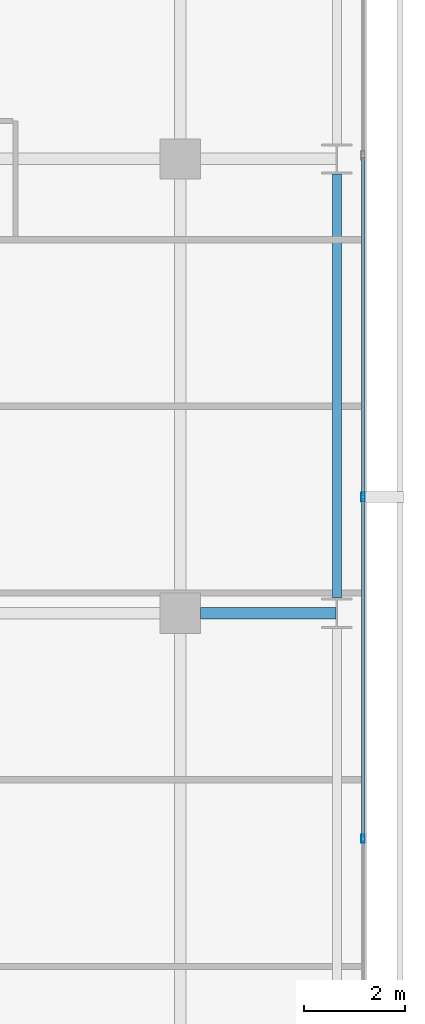
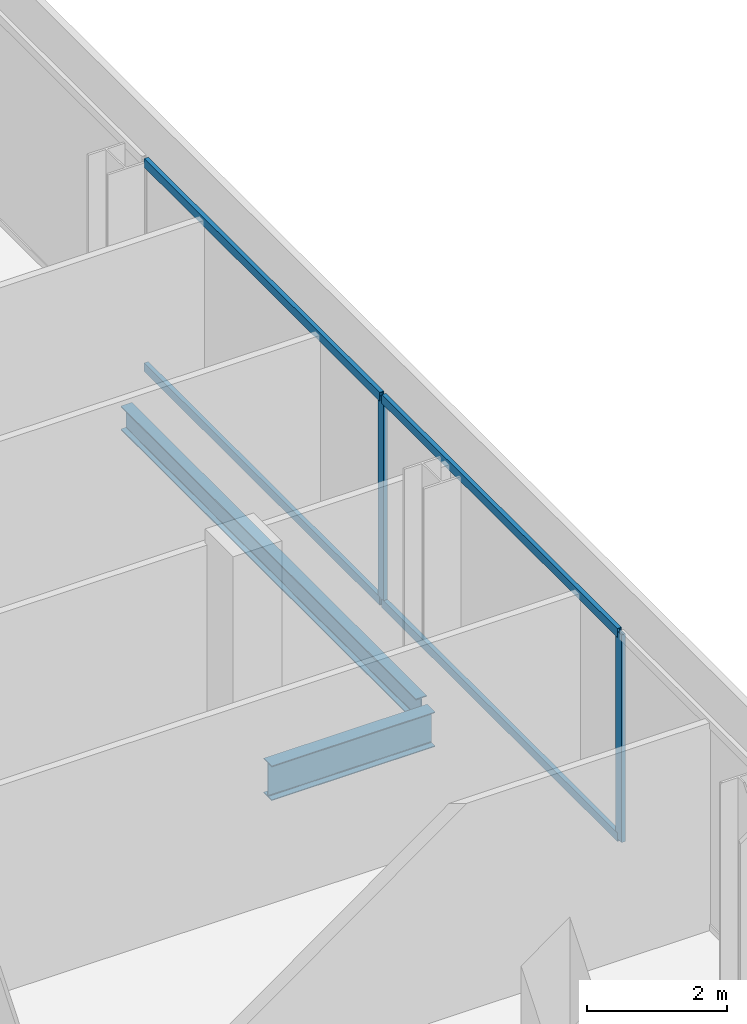
# One storey, part 17 of 34: 6 members, 2 beams, 1 element without a shape of its own.
"""IFC4 building model written with IfcOpenShell, lengths in metres."""

from ifc_helpers import new_model, si_unit, direction, frame, origin, origin_2d, place, context, subcontext, project, spatial, hollow_rectangle, i_section, extrude, material, layer, layer_set, material_profile, profile_set, type_object, element, aggregate, save


model = new_model("IFC4")

# Units and contexts
model_context = context("Model", 3, precision=1e-05, world=origin(), true_north=direction((0.0, 1.0)))
body_context = subcontext(model_context, "Body", "Model", "MODEL_VIEW")
ifc_project = project(units=[si_unit("LENGTHUNIT", "METRE"), si_unit("AREAUNIT", "SQUARE_METRE"), si_unit("VOLUMEUNIT", "CUBIC_METRE"), si_unit("PLANEANGLEUNIT", "RADIAN"), si_unit("MASSUNIT", "GRAM", prefix="KILO")], contexts=[model_context])

# Site, building, storey
site_placement = place(None, origin())
site = spatial("IfcSite", under=ifc_project, at=site_placement, CompositionType="ELEMENT")
building_placement = place(site_placement, origin())
building = spatial("IfcBuilding", under=site, at=building_placement, Name="Maruvema Waterfront Hotel and Observation Tower", CompositionType="ELEMENT")
storey_placement = place(building_placement, frame((0.0, 0.0, 192.85009765625)))
storey = spatial("IfcBuildingStorey", under=building, at=storey_placement, Name="L47", CompositionType="ELEMENT", Elevation=192.85009765625)

# Curtain wall, members
ifc_material_1 = material(Name="Anodised bronze aluminium and solar-control low-E IGU", Category="aluminium")
ifc_layer = layer(ifc_material_1, 0.159912109375, Name="Zone 2 Amber Inner Thermal Curtain Wall System CW-03")
ifc_layer_set = layer_set([ifc_layer], Name="Anodised bronze aluminium and solar-control low-E IGU")
curtain_wall_type = type_object("IfcCurtainWallType", Name="Zone 2 Amber Inner Thermal Curtain Wall System CW-03", PredefinedType="USERDEFINED", material=ifc_layer_set)
curtain_wall_placement = place(storey_placement, origin())
curtain_wall = element("IfcCurtainWall", 1, at=curtain_wall_placement, inside=storey, type_object=curtain_wall_type, Name="L47 Curtain Wall CW-L47-E", ObjectType="UNITISED CURTAIN WALL", PredefinedType="USERDEFINED")
ifc_material_2 = material(Name="Anodised architectural bronze aluminium", Category="aluminium")
ifc_material_profile_1 = material_profile(ifc_material_2, hollow_rectangle(XDim=0.070068359375, YDim=0.14990234375, WallThickness=0.00390625, at=origin_2d()), Name="ALU-T70x150")
ifc_profile_set_1 = profile_set([ifc_material_profile_1], Name="Anodised architectural bronze aluminium")
member_type_1 = type_object("IfcMemberType", Name="Curtain Wall Horizontal Transom ALU-T70x150", PredefinedType="USERDEFINED", material=ifc_profile_set_1)
member_1_placement = place(storey_placement, frame((62.419921875, 22.563232421875, 0.02978515625), z_axis=(0.0, 1.0, 0.0), x_axis=(-1.0, 0.0, 0.0)))
member_1 = element("IfcMember", 2, at=member_1_placement, type_object=member_type_1, Name="CW-03 transom 3.1", ObjectType="TRANSOM", PredefinedType="USERDEFINED", context=body_context, shape_type="SweptSolid", body=[
    extrude(hollow_rectangle(XDim=0.070068359375, YDim=0.14990234375, WallThickness=0.00390625, at=origin_2d()), origin(), (0.0, 0.0, 1.0), 6.706787109375),
])
member_2_placement = place(storey_placement, frame((62.419921875, 22.563232421875, 3.579833984375), z_axis=(0.0, 1.0, 0.0), x_axis=(-1.0, 0.0, 0.0)))
member_2 = element("IfcMember", 3, at=member_2_placement, type_object=member_type_1, Name="CW-03 transom 3.2", ObjectType="TRANSOM", PredefinedType="USERDEFINED", context=body_context, shape_type="SweptSolid", body=[
    extrude(hollow_rectangle(XDim=0.070068359375, YDim=0.14990234375, WallThickness=0.00390625, at=origin_2d()), origin(), (0.0, 0.0, 1.0), 6.706787109375),
])
member_3_placement = place(storey_placement, frame((62.419921875, 29.330078125, 0.02978515625), z_axis=(0.0, 1.0, 0.0), x_axis=(-1.0, 0.0, 0.0)))
member_3 = element("IfcMember", 4, at=member_3_placement, type_object=member_type_1, Name="CW-03 transom 4.1", ObjectType="TRANSOM", PredefinedType="USERDEFINED", context=body_context, shape_type="SweptSolid", body=[
    extrude(hollow_rectangle(XDim=0.070068359375, YDim=0.14990234375, WallThickness=0.00390625, at=origin_2d()), origin(), (0.0, 0.0, 1.0), 6.70654296875),
])
member_4_placement = place(storey_placement, frame((62.419921875, 29.330078125, 3.579833984375), z_axis=(0.0, 1.0, 0.0), x_axis=(-1.0, 0.0, 0.0)))
member_4 = element("IfcMember", 5, at=member_4_placement, type_object=member_type_1, Name="CW-03 transom 4.2", ObjectType="TRANSOM", PredefinedType="USERDEFINED", context=body_context, shape_type="SweptSolid", body=[
    extrude(hollow_rectangle(XDim=0.070068359375, YDim=0.14990234375, WallThickness=0.00390625, at=origin_2d()), origin(), (0.0, 0.0, 1.0), 6.70654296875),
])
ifc_material_3 = material(Name="Anodised architectural bronze aluminium", Category="aluminium")
ifc_material_profile_2 = material_profile(ifc_material_3, hollow_rectangle(XDim=0.06494140625, YDim=0.1650390625, WallThickness=0.00390625, at=origin_2d()), Name="ALU-M65x165")
ifc_profile_set_2 = profile_set([ifc_material_profile_2], Name="Anodised architectural bronze aluminium")
member_type_2 = type_object("IfcMemberType", Name="Curtain Wall Primary Mullion ALU-M65x165", PredefinedType="MULLION", material=ifc_profile_set_2)
member_5_placement = place(storey_placement, frame((62.419921875, 22.533447265625, 0.0), z_axis=(0.0, 0.0, 1.0), x_axis=(-1.0, 0.0, 0.0)))
member_5 = element("IfcMember", 6, at=member_5_placement, type_object=member_type_2, Name="CW-03 mullion 3", PredefinedType="MULLION", context=body_context, shape_type="SweptSolid", body=[
    extrude(hollow_rectangle(XDim=0.06494140625, YDim=0.1650390625, WallThickness=0.00390625, at=origin_2d()), origin(), (0.0, 0.0, 1.0), 3.60986328125),
])
member_6_placement = place(storey_placement, frame((62.419921875, 29.300048828125, 0.0), z_axis=(0.0, 0.0, 1.0), x_axis=(-1.0, 0.0, 0.0)))
member_6 = element("IfcMember", 7, at=member_6_placement, type_object=member_type_2, Name="CW-03 mullion 4", PredefinedType="MULLION", context=body_context, shape_type="SweptSolid", body=[
    extrude(hollow_rectangle(XDim=0.06494140625, YDim=0.1650390625, WallThickness=0.00390625, at=origin_2d()), origin(), (0.0, 0.0, 1.0), 3.60986328125),
])
aggregate(curtain_wall, [member_5, member_6, member_1, member_2, member_3, member_4])

# Beams
ifc_material_4 = material(Name="Steel ASTM A572 Grade 50", Category="steel")
ifc_material_profile_3 = material_profile(ifc_material_4, i_section(OverallWidth=0.180908203125, OverallDepth=0.4169921875, WebThickness=0.010986328125, FlangeThickness=0.018310546875, FilletRadius=0.014892578125, at=origin_2d()), Name="W410x85.0")
ifc_profile_set_3 = profile_set([ifc_material_profile_3], Name="Steel ASTM A572 Grade 50")
beam_type_1 = type_object("IfcBeamType", Name="Perimeter Spandrel Beam W410x85.0", PredefinedType="SPANDREL", material=ifc_profile_set_3)
beam_1_placement = place(storey_placement, frame((61.89990234375, 27.300048828125, -0.448486328125), z_axis=(0.0, 1.0, 0.0), x_axis=(-1.0, 0.0, 0.0)))
element("IfcBeam", 8, at=beam_1_placement, inside=storey, type_object=beam_type_1, Name="L47 Floor Girder NS-31", PredefinedType="SPANDREL", context=body_context, shape_type="SweptSolid", body=[
    extrude(i_section(OverallWidth=0.180908203125, OverallDepth=0.4169921875, WebThickness=0.010986328125, FlangeThickness=0.018310546875, FilletRadius=0.014892578125, at=origin_2d()), origin(), (0.0, 0.0, 1.0), 8.39990234375),
])
ifc_material_5 = material(Name="Steel ASTM A572 Grade 50", Category="steel")
ifc_material_profile_4 = material_profile(ifc_material_5, i_section(OverallWidth=0.22802734375, OverallDepth=0.60302734375, WebThickness=0.010498046875, FlangeThickness=0.014892578125, FilletRadius=0.01806640625, at=origin_2d()), Name="W610x101.0")
ifc_profile_set_4 = profile_set([ifc_material_profile_4], Name="Steel ASTM A572 Grade 50")
beam_type_2 = type_object("IfcBeamType", Name="Primary Floor Girder W610x101.0", PredefinedType="BEAM", material=ifc_profile_set_4)
beam_2_placement = place(storey_placement, frame((59.199951171875, 27.0, -0.54150390625), z_axis=(1.0, 0.0, 0.0), x_axis=(0.0, 1.0, 0.0)))
element("IfcBeam", 9, at=beam_2_placement, inside=storey, type_object=beam_type_2, Name="L47 Floor Girder EW-22", PredefinedType="BEAM", context=body_context, shape_type="SweptSolid", body=[
    extrude(i_section(OverallWidth=0.22802734375, OverallDepth=0.60302734375, WebThickness=0.010498046875, FlangeThickness=0.014892578125, FilletRadius=0.01806640625, at=origin_2d()), origin(), (0.0, 0.0, 1.0), 2.6875),
])

save(model, "model.ifc")
